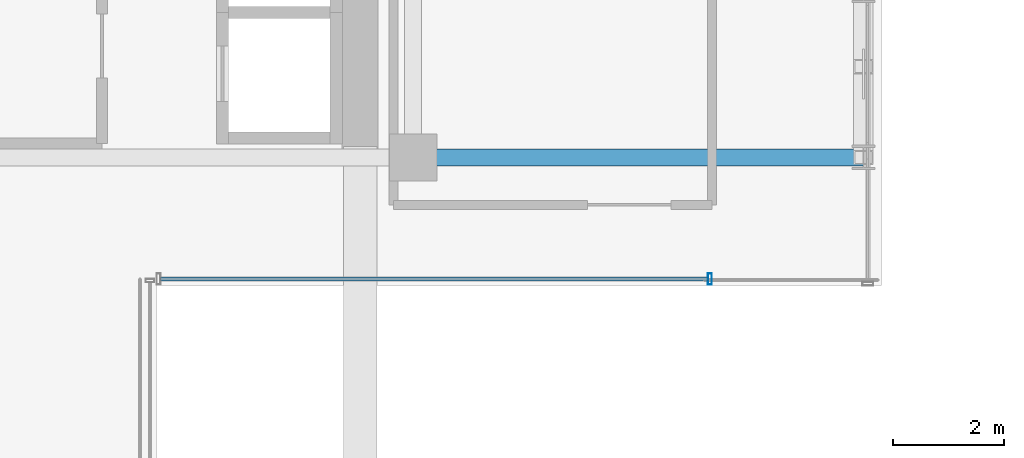
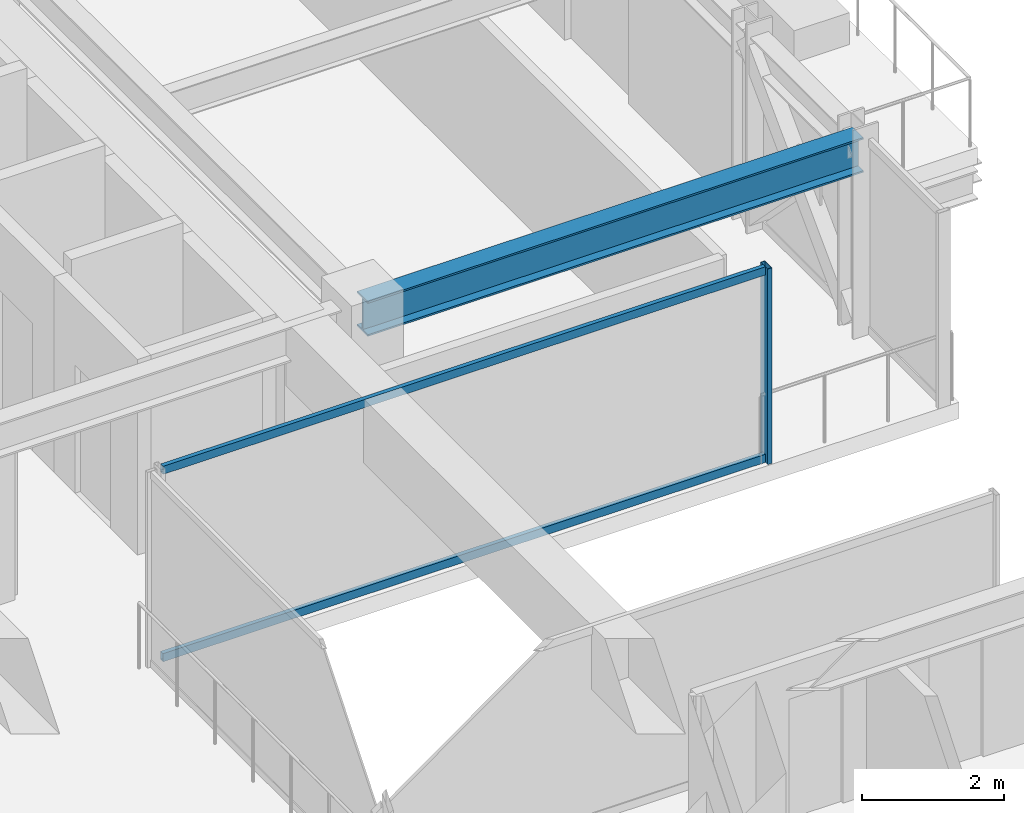
# One storey, part 29 of 43: 3 members, 1 beam, 1 element without a shape of its own.
"""IFC4 building model written with IfcOpenShell, lengths in metres."""

from ifc_helpers import new_model, si_unit, direction, frame, origin, origin_2d, place, context, subcontext, project, spatial, hollow_rectangle, i_section, extrude, source, transform, mapped, material, material_profile, profile_set, type_object, element, aggregate, save


model = new_model("IFC4")

# Units and contexts
model_context = context("Model", 3, precision=1e-05, world=origin(), true_north=direction((0.0, 1.0)))
body_context = subcontext(model_context, "Body", "Model", "MODEL_VIEW")
ifc_project = project(units=[si_unit("LENGTHUNIT", "METRE"), si_unit("AREAUNIT", "SQUARE_METRE"), si_unit("VOLUMEUNIT", "CUBIC_METRE"), si_unit("PLANEANGLEUNIT", "RADIAN"), si_unit("MASSUNIT", "GRAM", prefix="KILO")], contexts=[model_context])

# Site, building, storey
site_placement = place(None, origin())
site = spatial("IfcSite", under=ifc_project, at=site_placement, CompositionType="ELEMENT")
building_placement = place(site_placement, origin())
building = spatial("IfcBuilding", under=site, at=building_placement, Name="Nahalor Promenade Grand Hotel", CompositionType="ELEMENT")
storey_placement = place(building_placement, frame((0.0, 0.0, 57.949951171875)))
storey = spatial("IfcBuildingStorey", under=building, at=storey_placement, Name="L13", CompositionType="ELEMENT", Elevation=57.949951171875)

# Beam
ifc_material_1 = material(Name="Steel S355JR", Category="steel")
ifc_material_profile_1 = material_profile(ifc_material_1, i_section(OverallWidth=0.3, OverallDepth=0.6, WebThickness=0.0155, FlangeThickness=0.03, at=origin_2d()), Name="HEB 600")
ifc_profile_set_1 = profile_set([ifc_material_profile_1], Name="Steel S355JR")
beam_type = type_object("IfcBeamType", Name="Beam-Girder-HEB600", PredefinedType="BEAM", material=ifc_profile_set_1)
shared_shape_1 = source(origin(), body_context, "Body", "SweptSolid", [
    extrude(i_section(OverallWidth=0.3, OverallDepth=0.6, WebThickness=0.0155, FlangeThickness=0.03, at=origin_2d()), origin(), (0.0, 0.0, 1.0), 8.080078125),
])
beam_placement = place(storey_placement, frame((17.0, 5.39990234375, 3.070068359375), z_axis=(1.0, 0.0, 0.0), x_axis=(0.0, 1.0, 0.0)))
element("IfcBeam", 1, at=beam_placement, inside=storey, type_object=beam_type, Name="BM-L13-GX-2-6", PredefinedType="BEAM", context=body_context, shape_type="MappedRepresentation", body=[
    mapped(shared_shape_1, transform((0.0, 0.0, 0.0), scale=1.0)),
])

# Curtain wall, members
ifc_material_2 = material(Name="Anodised Bronze Aluminium EN AW-6063 T6", Category="aluminium")
curtain_wall_type = type_object("IfcCurtainWallType", Name="CW3 Elliptical-Void Collar Unitised Curtain Wall", PredefinedType="USERDEFINED", material=ifc_material_2)
curtain_wall_placement = place(storey_placement, origin())
curtain_wall = element("IfcCurtainWall", 2, at=curtain_wall_placement, inside=storey, type_object=curtain_wall_type, Name="L13 Curtain Wall CW-L13-VOID-EN1", ObjectType="UNITISED_CURTAIN_WALL", PredefinedType="USERDEFINED")
ifc_material_profile_2 = material_profile(ifc_material_2, hollow_rectangle(XDim=0.07, YDim=0.14, WallThickness=0.004, at=origin_2d()), Name="CWT 70x140x4")
ifc_profile_set_2 = profile_set([ifc_material_profile_2], Name="Anodised Bronze Aluminium EN AW-6063 T6")
member_type_1 = type_object("IfcMemberType", Name="CWT3 Void Collar Transom 70x140", PredefinedType="USERDEFINED", material=ifc_profile_set_2)
shared_shape_2 = source(origin(), body_context, "Body", "SweptSolid", [
    extrude(hollow_rectangle(XDim=0.07, YDim=0.14, WallThickness=0.004, at=origin_2d()), origin(), (0.0, 0.0, 1.0), 9.820068359375),
])
member_1_placement = place(storey_placement, frame((12.469970703125, 3.219970703125, 0.070068359375), z_axis=(1.0, 0.0, 0.0), x_axis=(0.0, 1.0, 0.0)))
member_1 = element("IfcMember", 3, at=member_1_placement, type_object=member_type_1, Name="CW-L13-VOID-EN1 Transom 0-0", ObjectType="TRANSOM", PredefinedType="USERDEFINED", context=body_context, shape_type="MappedRepresentation", body=[
    mapped(shared_shape_2, transform((0.0, 0.0, 0.0), scale=1.0)),
])
member_2_placement = place(storey_placement, frame((12.469970703125, 3.219970703125, 3.300048828125), z_axis=(1.0, 0.0, 0.0), x_axis=(0.0, 1.0, 0.0)))
member_2 = element("IfcMember", 4, at=member_2_placement, type_object=member_type_1, Name="CW-L13-VOID-EN1 Transom 0-1", ObjectType="TRANSOM", PredefinedType="USERDEFINED", context=body_context, shape_type="MappedRepresentation", body=[
    mapped(shared_shape_2, transform((0.0, 0.0, 0.0), scale=1.0)),
])
ifc_material_profile_3 = material_profile(ifc_material_2, hollow_rectangle(XDim=0.07, YDim=0.2, WallThickness=0.005, at=origin_2d()), Name="CWM 70x200x5")
ifc_profile_set_3 = profile_set([ifc_material_profile_3], Name="Anodised Bronze Aluminium EN AW-6063 T6")
member_type_2 = type_object("IfcMemberType", Name="CWM3 Void Collar Mullion 70x200", PredefinedType="MULLION", material=ifc_profile_set_3)
shared_shape_3 = source(origin(), body_context, "Body", "SweptSolid", [
    extrude(hollow_rectangle(XDim=0.07, YDim=0.2, WallThickness=0.005, at=origin_2d()), origin(), (0.0, 0.0, 1.0), 3.3701171875),
])
member_3_placement = place(storey_placement, frame((22.324951171875, 3.219970703125, 0.0), z_axis=(0.0, 0.0, 1.0), x_axis=(1.0, 0.0, 0.0)))
member_3 = element("IfcMember", 5, at=member_3_placement, type_object=member_type_2, Name="CW-L13-VOID-EN1 Mullion 1", PredefinedType="MULLION", context=body_context, shape_type="MappedRepresentation", body=[
    mapped(shared_shape_3, transform((0.0, 0.0, 0.0), scale=1.0)),
])
aggregate(curtain_wall, [member_3, member_1, member_2])

save(model, "model.ifc")
